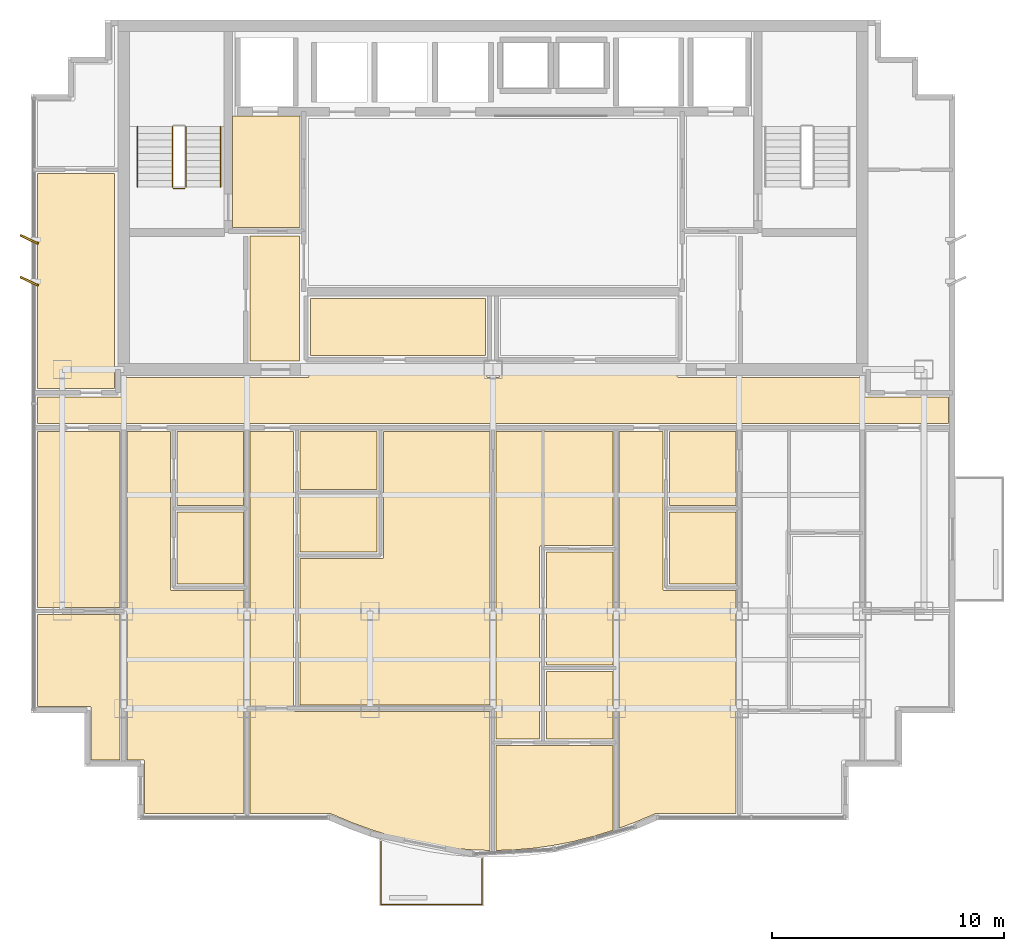
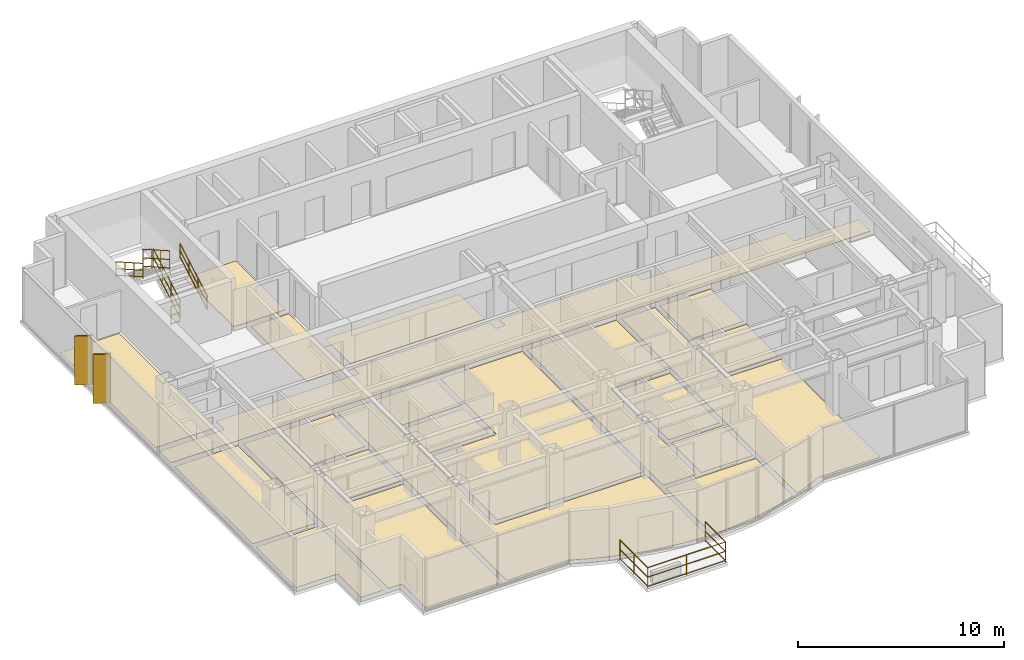
# One storey, part 10 of 11: 21 coverings, 6 railings, 2 shading devices.
"""IFC4 building model written with IfcOpenShell, lengths in metres."""

from ifc_helpers import new_model, si_unit, direction, frame, origin, origin_2d, place, context, subcontext, project, spatial, polyline, rectangle, circle, outline, extrude, source, transform, mapped, material, layer, layer_set, type_object, element, save


model = new_model("IFC4")

# Units and contexts
model_context = context("Model", 3, precision=1e-05, world=origin(), true_north=direction((0.0, 1.0)))
body_context = subcontext(model_context, "Body", "Model", "MODEL_VIEW")
ifc_project = project(units=[si_unit("LENGTHUNIT", "METRE"), si_unit("AREAUNIT", "SQUARE_METRE"), si_unit("VOLUMEUNIT", "CUBIC_METRE"), si_unit("PLANEANGLEUNIT", "RADIAN"), si_unit("MASSUNIT", "GRAM", prefix="KILO")], contexts=[model_context])

# Site, building, storey
site_placement = place(None, origin())
site = spatial("IfcSite", under=ifc_project, at=site_placement, CompositionType="ELEMENT")
building_placement = place(site_placement, origin())
building = spatial("IfcBuilding", under=site, at=building_placement, Name="Qianlan Lanfeng Residences", CompositionType="ELEMENT")
storey_placement = place(building_placement, frame((0.0, 0.0, 203.300048828125)))
storey = spatial("IfcBuildingStorey", under=building, at=storey_placement, Name="L55", CompositionType="ELEMENT", Elevation=203.300048828125)

# Coverings
ifc_material_1 = material(Name="Honed Taitung Granite Stone Flooring", Category="masonry")
ifc_layer_1 = layer(ifc_material_1, 0.030029296875)
ifc_layer_set_1 = layer_set([ifc_layer_1], Name="Honed Taitung Granite Stone Flooring")
covering_type_1 = type_object("IfcCoveringType", Name="FLR-STN-30", PredefinedType="FLOORING", material=ifc_layer_set_1)
covering_1_placement = place(storey_placement, origin())
element("IfcCovering", 1, at=covering_1_placement, inside=storey, type_object=covering_type_1, Name="L55 Firefighting Lift Lobby Floor Finish", PredefinedType="FLOORING", context=body_context, shape_type="SweptSolid", body=[
    extrude(outline(polyline([(15.2900390625, 31.320068359375), (18.179931640625, 31.320068359375), (18.179931640625, 36.110107421875), (15.2900390625, 36.110107421875), (15.2900390625, 31.320068359375)])), origin(), (0.0, 0.0, 1.0), 0.030029296875),
])
covering_2_placement = place(storey_placement, origin())
element("IfcCovering", 2, at=covering_2_placement, inside=storey, type_object=covering_type_1, Name="L55 Residential Corridor Floor Finish", PredefinedType="FLOORING", context=body_context, shape_type="SweptSolid", body=[
    extrude(outline(polyline([(6.889892578125, 22.8798828125), (46.110107421875, 22.8798828125), (46.110107421875, 24.02001953125), (42.5400390625, 24.02001953125), (42.532958984375, 24.02001953125), (42.52587890625, 24.02099609375), (42.52001953125, 24.02294921875), (42.512939453125, 24.02490234375), (42.507080078125, 24.028076171875), (42.5009765625, 24.031982421875), (42.49609375, 24.035888671875), (42.490966796875, 24.041015625), (42.486083984375, 24.0458984375), (42.48193359375, 24.051025390625), (42.47802734375, 24.056884765625), (42.47509765625, 24.06298828125), (42.472900390625, 24.070068359375), (42.470947265625, 24.075927734375), (42.469970703125, 24.0830078125), (42.469970703125, 24.090087890625), (42.469970703125, 24.85009765625), (34.5, 24.85009765625), (34.492919921875, 24.85009765625), (34.486083984375, 24.85107421875), (34.47998046875, 24.85302734375), (34.472900390625, 24.85498046875), (34.467041015625, 24.85791015625), (34.4609375, 24.862060546875), (34.4560546875, 24.865966796875), (34.450927734375, 24.87109375), (34.446044921875, 24.8759765625), (34.44189453125, 24.881103515625), (34.43798828125, 24.886962890625), (34.43505859375, 24.89306640625), (34.43310546875, 24.89990234375), (34.430908203125, 24.906005859375), (34.429931640625, 24.9130859375), (34.429931640625, 24.919921875), (34.429931640625, 25.429931640625), (26.77001953125, 25.429931640625), (26.77001953125, 24.919921875), (26.77001953125, 24.9130859375), (26.76904296875, 24.906005859375), (26.76708984375, 24.89990234375), (26.764892578125, 24.89306640625), (26.761962890625, 24.886962890625), (26.758056640625, 24.881103515625), (26.75390625, 24.8759765625), (26.7490234375, 24.87109375), (26.743896484375, 24.865966796875), (26.739013671875, 24.862060546875), (26.73291015625, 24.85791015625), (26.72705078125, 24.85498046875), (26.719970703125, 24.85302734375), (26.714111328125, 24.85107421875), (26.70703125, 24.85009765625), (26.699951171875, 24.85009765625), (26.300048828125, 24.85009765625), (26.29296875, 24.85009765625), (26.285888671875, 24.85107421875), (26.280029296875, 24.85302734375), (26.27294921875, 24.85498046875), (26.26708984375, 24.85791015625), (26.260986328125, 24.862060546875), (26.256103515625, 24.865966796875), (26.2509765625, 24.87109375), (26.24609375, 24.8759765625), (26.241943359375, 24.881103515625), (26.238037109375, 24.886962890625), (26.235107421875, 24.89306640625), (26.23291015625, 24.89990234375), (26.23095703125, 24.906005859375), (26.22998046875, 24.9130859375), (26.22998046875, 24.919921875), (26.22998046875, 25.429931640625), (18.570068359375, 25.429931640625), (18.570068359375, 24.919921875), (18.570068359375, 24.9130859375), (18.569091796875, 24.906005859375), (18.56689453125, 24.89990234375), (18.56494140625, 24.89306640625), (18.56201171875, 24.886962890625), (18.55810546875, 24.881103515625), (18.553955078125, 24.8759765625), (18.549072265625, 24.87109375), (18.5439453125, 24.865966796875), (18.5390625, 24.862060546875), (18.532958984375, 24.85791015625), (18.527099609375, 24.85498046875), (18.52001953125, 24.85302734375), (18.513916015625, 24.85107421875), (18.507080078125, 24.85009765625), (18.5, 24.85009765625), (10.530029296875, 24.85009765625), (10.530029296875, 24.090087890625), (10.530029296875, 24.0830078125), (10.529052734375, 24.075927734375), (10.527099609375, 24.070068359375), (10.52490234375, 24.06298828125), (10.52197265625, 24.056884765625), (10.51806640625, 24.051025390625), (10.513916015625, 24.0458984375), (10.509033203125, 24.041015625), (10.50390625, 24.035888671875), (10.4990234375, 24.031982421875), (10.492919921875, 24.028076171875), (10.487060546875, 24.02490234375), (10.47998046875, 24.02294921875), (10.47412109375, 24.02099609375), (10.467041015625, 24.02001953125), (10.4599609375, 24.02001953125), (6.889892578125, 24.02001953125), (6.889892578125, 22.8798828125)])), origin(), (0.0, 0.0, 1.0), 0.030029296875),
])
covering_3_placement = place(storey_placement, origin())
element("IfcCovering", 3, at=covering_3_placement, inside=storey, type_object=covering_type_1, Name="L55 Lift Lobby Floor Finish", PredefinedType="FLOORING", context=body_context, shape_type="SweptSolid", body=[
    extrude(outline(polyline([(16.030029296875, 25.56005859375), (18.169921875, 25.56005859375), (18.169921875, 30.949951171875), (16.030029296875, 30.949951171875), (16.030029296875, 25.56005859375)])), origin(), (0.0, 0.0, 1.0), 0.030029296875),
])
ifc_material_2 = material(Name="Slip-Resistant Porcelain Tile Flooring")
ifc_layer_2 = layer(ifc_material_2, 0.02001953125)
ifc_layer_set_2 = layer_set([ifc_layer_2], Name="Slip-Resistant Porcelain Tile Flooring")
covering_type_2 = type_object("IfcCoveringType", Name="FLR-TIL-20", PredefinedType="FLOORING", material=ifc_layer_set_2)
covering_4_placement = place(storey_placement, origin())
element("IfcCovering", 4, at=covering_4_placement, inside=storey, type_object=covering_type_2, Name="L55 Kitchen Floor Finish", PredefinedType="FLOORING", context=body_context, shape_type="SweptSolid", body=[
    extrude(outline(polyline([(12.889892578125, 15.9599609375), (15.760009765625, 15.9599609375), (15.760009765625, 19.070068359375), (12.889892578125, 19.070068359375), (12.889892578125, 15.9599609375)])), origin(), (0.0, 0.0, 1.0), 0.02001953125),
])
covering_5_placement = place(storey_placement, origin())
element("IfcCovering", 5, at=covering_5_placement, inside=storey, type_object=covering_type_2, Name="L55 Bathroom Floor Finish", PredefinedType="FLOORING", context=body_context, shape_type="SweptSolid", body=[
    extrude(outline(polyline([(12.889892578125, 19.35009765625), (15.760009765625, 19.35009765625), (15.760009765625, 22.530029296875), (12.889892578125, 22.530029296875), (12.889892578125, 19.35009765625)])), origin(), (0.0, 0.0, 1.0), 0.02001953125),
])
covering_6_placement = place(storey_placement, origin())
element("IfcCovering", 6, at=covering_6_placement, inside=storey, type_object=covering_type_2, Name="L55 Kitchen Floor Finish", PredefinedType="FLOORING", context=body_context, shape_type="SweptSolid", body=[
    extrude(outline(polyline([(18.18994140625, 17.340087890625), (21.510009765625, 17.340087890625), (21.510009765625, 19.760009765625), (18.18994140625, 19.760009765625), (18.18994140625, 17.340087890625)])), origin(), (0.0, 0.0, 1.0), 0.02001953125),
])
covering_7_placement = place(storey_placement, origin())
element("IfcCovering", 7, at=covering_7_placement, inside=storey, type_object=covering_type_2, Name="L55 Bathroom Floor Finish", PredefinedType="FLOORING", context=body_context, shape_type="SweptSolid", body=[
    extrude(outline(polyline([(18.18994140625, 20.0400390625), (21.510009765625, 20.0400390625), (21.510009765625, 22.530029296875), (18.18994140625, 22.530029296875), (18.18994140625, 20.0400390625)])), origin(), (0.0, 0.0, 1.0), 0.02001953125),
])
covering_8_placement = place(storey_placement, origin())
element("IfcCovering", 8, at=covering_8_placement, inside=storey, type_object=covering_type_2, Name="L55 En-Suite Bathroom Floor Finish", PredefinedType="FLOORING", context=body_context, shape_type="SweptSolid", body=[
    extrude(outline(polyline([(28.7900390625, 9.2880859375), (31.669921875, 9.2880859375), (31.669921875, 12.2080078125), (28.7900390625, 12.2080078125), (28.7900390625, 9.2880859375)])), origin(), (0.0, 0.0, 1.0), 0.02001953125),
])
covering_9_placement = place(storey_placement, origin())
element("IfcCovering", 9, at=covering_9_placement, inside=storey, type_object=covering_type_2, Name="L55 Kitchen Floor Finish", PredefinedType="FLOORING", context=body_context, shape_type="SweptSolid", body=[
    extrude(outline(polyline([(34.090087890625, 15.9599609375), (36.9599609375, 15.9599609375), (36.9599609375, 19.070068359375), (34.090087890625, 19.070068359375), (34.090087890625, 15.9599609375)])), origin(), (0.0, 0.0, 1.0), 0.02001953125),
])
covering_10_placement = place(storey_placement, origin())
element("IfcCovering", 10, at=covering_10_placement, inside=storey, type_object=covering_type_2, Name="L55 Bathroom Floor Finish", PredefinedType="FLOORING", context=body_context, shape_type="SweptSolid", body=[
    extrude(outline(polyline([(34.090087890625, 19.35009765625), (36.9599609375, 19.35009765625), (36.9599609375, 22.530029296875), (34.090087890625, 22.530029296875), (34.090087890625, 19.35009765625)])), origin(), (0.0, 0.0, 1.0), 0.02001953125),
])
ifc_material_3 = material(Name="Engineered Smoked Oak Timber Flooring", Category="wood")
ifc_layer_3 = layer(ifc_material_3, 0.02197265625)
ifc_layer_set_3 = layer_set([ifc_layer_3], Name="Engineered Smoked Oak Timber Flooring")
covering_type_3 = type_object("IfcCoveringType", Name="FLR-TIM-22", PredefinedType="FLOORING", material=ifc_layer_set_3)
covering_11_placement = place(storey_placement, origin())
element("IfcCovering", 11, at=covering_11_placement, inside=storey, type_object=covering_type_3, Name="L55 Resident Reading Lounge Floor Finish", PredefinedType="FLOORING", context=body_context, shape_type="SweptSolid", body=[
    extrude(outline(polyline([(18.6298828125, 25.800048828125), (26.169921875, 25.800048828125), (26.169921875, 28.2548828125), (18.6298828125, 28.2548828125), (18.6298828125, 25.800048828125)])), origin(), (0.0, 0.0, 1.0), 0.02197265625),
])
covering_12_placement = place(storey_placement, origin())
element("IfcCovering", 12, at=covering_12_placement, inside=storey, type_object=covering_type_3, Name="L55 Studio Living Room Floor Finish", PredefinedType="FLOORING", context=body_context, shape_type="SweptSolid", body=[
    extrude(outline(polyline([(15.77001953125, 6.090087890625), (15.77001953125, 15.679931640625), (12.679931640625, 15.679931640625), (12.673095703125, 15.679931640625), (12.666015625, 15.680908203125), (12.659912109375, 15.68310546875), (12.653076171875, 15.68505859375), (12.64697265625, 15.68798828125), (12.64111328125, 15.69189453125), (12.635986328125, 15.696044921875), (12.631103515625, 15.700927734375), (12.6259765625, 15.7060546875), (12.6220703125, 15.7109375), (12.617919921875, 15.717041015625), (12.614990234375, 15.722900390625), (12.613037109375, 15.72998046875), (12.611083984375, 15.736083984375), (12.610107421875, 15.742919921875), (12.610107421875, 15.75), (12.610107421875, 22.530029296875), (10.72998046875, 22.530029296875), (10.72998046875, 8.389892578125), (11.419921875, 8.389892578125), (11.427001953125, 8.389892578125), (11.43408203125, 8.388916015625), (11.43994140625, 8.386962890625), (11.447021484375, 8.385009765625), (11.452880859375, 8.382080078125), (11.458984375, 8.3779296875), (11.464111328125, 8.3740234375), (11.468994140625, 8.368896484375), (11.47412109375, 8.364013671875), (11.47802734375, 8.35888671875), (11.48193359375, 8.35302734375), (11.485107421875, 8.346923828125), (11.487060546875, 8.340087890625), (11.489013671875, 8.333984375), (11.489990234375, 8.326904296875), (11.489990234375, 8.320068359375), (11.489990234375, 6.090087890625), (15.77001953125, 6.090087890625)])), origin(), (0.0, 0.0, 1.0), 0.02197265625),
])
covering_13_placement = place(storey_placement, origin())
element("IfcCovering", 13, at=covering_13_placement, inside=storey, type_object=covering_type_3, Name="L55 Living and Dining Room Floor Finish", PredefinedType="FLOORING", context=body_context, shape_type="SweptSolid", body=[
    extrude(outline(polyline([(26.3701171875, 4.493896484375), (26.3701171875, 10.47412109375), (17.97998046875, 10.47412109375), (17.972900390625, 10.47412109375), (17.966064453125, 10.47509765625), (17.9599609375, 10.47705078125), (17.952880859375, 10.47900390625), (17.947021484375, 10.48193359375), (17.94091796875, 10.486083984375), (17.93603515625, 10.489990234375), (17.930908203125, 10.4951171875), (17.926025390625, 10.5), (17.922119140625, 10.5048828125), (17.91796875, 10.510986328125), (17.9150390625, 10.51708984375), (17.9130859375, 10.52392578125), (17.910888671875, 10.530029296875), (17.909912109375, 10.537109375), (17.909912109375, 10.5439453125), (17.909912109375, 22.530029296875), (16.030029296875, 22.530029296875), (16.030029296875, 6.090087890625), (19.465087890625, 6.090087890625), (19.471923828125, 6.090087890625), (19.47900390625, 6.089111328125), (19.485107421875, 6.0869140625), (19.491943359375, 6.083984375), (20.412109375, 5.695068359375), (21.282958984375, 5.375), (22.154052734375, 5.10400390625), (23.02392578125, 4.883056640625), (23.89306640625, 4.7109375), (24.762939453125, 4.587890625), (25.631103515625, 4.514892578125), (26.3701171875, 4.493896484375)])), origin(), (0.0, 0.0, 1.0), 0.02197265625),
])
covering_14_placement = place(storey_placement, origin())
element("IfcCovering", 14, at=covering_14_placement, inside=storey, type_object=covering_type_3, Name="L55 Villa Family Sitting Room Floor Finish", PredefinedType="FLOORING", context=body_context, shape_type="SweptSolid", body=[
    extrude(outline(polyline([(18.18994140625, 10.75390625), (26.3701171875, 10.75390625), (26.3701171875, 22.530029296875), (21.7900390625, 22.530029296875), (21.7900390625, 17.1298828125), (21.7900390625, 17.123046875), (21.7890625, 17.115966796875), (21.787109375, 17.110107421875), (21.784912109375, 17.10302734375), (21.781982421875, 17.096923828125), (21.778076171875, 17.091064453125), (21.77392578125, 17.0859375), (21.76904296875, 17.0810546875), (21.763916015625, 17.075927734375), (21.759033203125, 17.072021484375), (21.7529296875, 17.068115234375), (21.7470703125, 17.06494140625), (21.739990234375, 17.06298828125), (21.73388671875, 17.06103515625), (21.72705078125, 17.06005859375), (21.719970703125, 17.06005859375), (18.18994140625, 17.06005859375), (18.18994140625, 10.75390625)])), origin(), (0.0, 0.0, 1.0), 0.02197265625),
])
covering_15_placement = place(storey_placement, origin())
element("IfcCovering", 15, at=covering_15_placement, inside=storey, type_object=covering_type_3, Name="L55 Private Study Floor Finish", PredefinedType="FLOORING", context=body_context, shape_type="SweptSolid", body=[
    extrude(outline(polyline([(28.7900390625, 12.488037109375), (31.669921875, 12.488037109375), (31.669921875, 17.333984375), (28.7900390625, 17.333984375), (28.7900390625, 12.488037109375)])), origin(), (0.0, 0.0, 1.0), 0.02197265625),
])
covering_16_placement = place(storey_placement, origin())
element("IfcCovering", 16, at=covering_16_placement, inside=storey, type_object=covering_type_3, Name="L55 Villa Family Sitting Room Floor Finish", PredefinedType="FLOORING", context=body_context, shape_type="SweptSolid", body=[
    extrude(outline(polyline([(26.6298828125, 9.2880859375), (28.510009765625, 9.2880859375), (28.510009765625, 17.5439453125), (28.510009765625, 17.551025390625), (28.510986328125, 17.55810546875), (28.512939453125, 17.56396484375), (28.514892578125, 17.571044921875), (28.51806640625, 17.576904296875), (28.52197265625, 17.5830078125), (28.52587890625, 17.587890625), (28.531005859375, 17.593017578125), (28.535888671875, 17.597900390625), (28.541015625, 17.60205078125), (28.547119140625, 17.60595703125), (28.552978515625, 17.60888671875), (28.56005859375, 17.611083984375), (28.56591796875, 17.613037109375), (28.572998046875, 17.614013671875), (28.580078125, 17.614013671875), (31.669921875, 17.614013671875), (31.669921875, 22.530029296875), (26.6298828125, 22.530029296875), (26.6298828125, 9.2880859375)])), origin(), (0.0, 0.0, 1.0), 0.02197265625),
])
covering_17_placement = place(storey_placement, origin())
element("IfcCovering", 17, at=covering_17_placement, inside=storey, type_object=covering_type_3, Name="L55 Master Bedroom Floor Finish", PredefinedType="FLOORING", context=body_context, shape_type="SweptSolid", body=[
    extrude(outline(polyline([(26.6298828125, 9.008056640625), (26.6298828125, 4.493896484375), (27.368896484375, 4.514892578125), (28.237060546875, 4.587890625), (29.10693359375, 4.7109375), (29.97607421875, 4.883056640625), (30.845947265625, 5.10400390625), (31.669921875, 5.360107421875), (31.669921875, 9.008056640625), (26.6298828125, 9.008056640625)])), origin(), (0.0, 0.0, 1.0), 0.02197265625),
])
covering_18_placement = place(storey_placement, origin())
element("IfcCovering", 18, at=covering_18_placement, inside=storey, type_object=covering_type_3, Name="L55 Living and Dining Room Floor Finish", PredefinedType="FLOORING", context=body_context, shape_type="SweptSolid", body=[
    extrude(outline(polyline([(36.969970703125, 6.090087890625), (36.969970703125, 15.679931640625), (33.8798828125, 15.679931640625), (33.873046875, 15.679931640625), (33.865966796875, 15.680908203125), (33.860107421875, 15.68310546875), (33.85302734375, 15.68505859375), (33.846923828125, 15.68798828125), (33.841064453125, 15.69189453125), (33.8359375, 15.696044921875), (33.8310546875, 15.700927734375), (33.825927734375, 15.7060546875), (33.822021484375, 15.7109375), (33.818115234375, 15.717041015625), (33.81494140625, 15.722900390625), (33.81298828125, 15.72998046875), (33.81103515625, 15.736083984375), (33.81005859375, 15.742919921875), (33.81005859375, 15.75), (33.81005859375, 22.530029296875), (31.929931640625, 22.530029296875), (31.929931640625, 5.452880859375), (32.587890625, 5.695068359375), (33.508056640625, 6.083984375), (33.514892578125, 6.0869140625), (33.52099609375, 6.089111328125), (33.528076171875, 6.090087890625), (33.534912109375, 6.090087890625), (36.969970703125, 6.090087890625)])), origin(), (0.0, 0.0, 1.0), 0.02197265625),
])
covering_19_placement = place(storey_placement, origin())
element("IfcCovering", 19, at=covering_19_placement, inside=storey, type_object=covering_type_3, Name="L55 Sunroom Floor Finish", PredefinedType="FLOORING", context=body_context, shape_type="SweptSolid", body=[
    extrude(outline(polyline([(10.43994140625, 14.64990234375), (6.889892578125, 14.64990234375), (6.889892578125, 10.68994140625), (9.1201171875, 10.68994140625), (9.126953125, 10.68994140625), (9.134033203125, 10.68896484375), (9.139892578125, 10.68701171875), (9.14697265625, 10.68505859375), (9.153076171875, 10.681884765625), (9.158935546875, 10.677978515625), (9.1640625, 10.674072265625), (9.1689453125, 10.6689453125), (9.174072265625, 10.6640625), (9.177978515625, 10.658935546875), (9.181884765625, 10.653076171875), (9.18505859375, 10.64697265625), (9.18701171875, 10.639892578125), (9.18896484375, 10.634033203125), (9.18994140625, 10.626953125), (9.18994140625, 10.6201171875), (9.18994140625, 8.389892578125), (10.43994140625, 8.389892578125), (10.43994140625, 14.64990234375)])), origin(), (0.0, 0.0, 1.0), 0.02197265625),
])
covering_20_placement = place(storey_placement, origin())
element("IfcCovering", 20, at=covering_20_placement, inside=storey, type_object=covering_type_3, Name="L55 Family Sitting Room Floor Finish", PredefinedType="FLOORING", context=body_context, shape_type="SweptSolid", body=[
    extrude(outline(polyline([(10.43994140625, 22.530029296875), (6.889892578125, 22.530029296875), (6.889892578125, 14.949951171875), (10.43994140625, 14.949951171875), (10.43994140625, 22.530029296875)])), origin(), (0.0, 0.0, 1.0), 0.02197265625),
])
covering_21_placement = place(storey_placement, origin())
element("IfcCovering", 21, at=covering_21_placement, inside=storey, type_object=covering_type_3, Name="L55 Boardroom Suite Floor Finish", PredefinedType="FLOORING", context=body_context, shape_type="SweptSolid", body=[
    extrude(outline(polyline([(10.199951171875, 33.64990234375), (6.889892578125, 33.64990234375), (6.889892578125, 24.3798828125), (10.199951171875, 24.3798828125), (10.199951171875, 33.64990234375)])), origin(), (0.0, 0.0, 1.0), 0.02197265625),
])

# Railings
ifc_material_4 = material(Name="Anodised Bronze Aluminium and Laminated Glass Guard Balustrade", Category="aluminium")
railing_type_1 = type_object("IfcRailingType", Name="GR-EXT-1220", PredefinedType="BALUSTRADE", material=ifc_material_4)
railing_1_placement = place(storey_placement, frame((26.030029296875, 4.14306640625, 0.0)))
element("IfcRailing", 22, at=railing_1_placement, inside=storey, type_object=railing_type_1, Name="L55 Terrace Safety Guard GR-L55-SB-C", PredefinedType="BALUSTRADE", context=body_context, shape_type="SweptSolid", body=[
    extrude(circle(Radius=0.02490234375, at=origin_2d()), frame((0.0, 0.0, 0.0849609375), z_axis=(0.0, -1.0, 0.0), x_axis=(1.0, 0.0, 0.0)), (0.0, 0.0, 1.0), 1.97314453125),
    extrude(circle(Radius=0.02490234375, at=origin_2d()), frame((0.0, 0.0, 0.63427734375), z_axis=(0.0, -1.0, 0.0), x_axis=(1.0, 0.0, 0.0)), (0.0, 0.0, 1.0), 1.97314453125),
    extrude(circle(Radius=0.02490234375, at=origin_2d()), frame((0.0, 0.0, 1.19482421875), z_axis=(0.0, -1.0, 0.0), x_axis=(1.0, 0.0, 0.0)), (0.0, 0.0, 1.0), 1.97314453125),
    extrude(circle(Radius=0.02490234375, at=origin_2d()), frame((0.0, -1.97314453125, 0.0849609375), z_axis=(-1.0, 0.0, 0.0), x_axis=(0.0, -1.0, 0.0)), (0.0, 0.0, 1.0), 4.360107421875),
    extrude(circle(Radius=0.02490234375, at=origin_2d()), frame((0.0, -1.97314453125, 0.63427734375), z_axis=(-1.0, 0.0, 0.0), x_axis=(0.0, -1.0, 0.0)), (0.0, 0.0, 1.0), 4.360107421875),
    extrude(circle(Radius=0.02490234375, at=origin_2d()), frame((0.0, -1.97314453125, 1.19482421875), z_axis=(-1.0, 0.0, 0.0), x_axis=(0.0, -1.0, 0.0)), (0.0, 0.0, 1.0), 4.360107421875),
    extrude(circle(Radius=0.02490234375, at=origin_2d()), frame((-4.360107421875, -1.97314453125, 0.0849609375), z_axis=(0.0, 1.0, 0.0), x_axis=(-1.0, 0.0, 0.0)), (0.0, 0.0, 1.0), 2.7080078125),
    extrude(circle(Radius=0.02490234375, at=origin_2d()), frame((-4.360107421875, -1.97314453125, 0.63427734375), z_axis=(0.0, 1.0, 0.0), x_axis=(-1.0, 0.0, 0.0)), (0.0, 0.0, 1.0), 2.7080078125),
    extrude(circle(Radius=0.02490234375, at=origin_2d()), frame((-4.360107421875, -1.97314453125, 1.19482421875), z_axis=(0.0, 1.0, 0.0), x_axis=(-1.0, 0.0, 0.0)), (0.0, 0.0, 1.0), 2.7080078125),
    extrude(circle(Radius=0.02099609375, at=origin_2d()), origin(), (0.0, 0.0, 1.0), 1.169921875),
    extrude(circle(Radius=0.02099609375, at=origin_2d()), frame((0.0, -1.97314453125, 0.0)), (0.0, 0.0, 1.0), 1.169921875),
    extrude(circle(Radius=0.02099609375, at=origin_2d()), frame((-2.18017578125, -1.97314453125, 0.0)), (0.0, 0.0, 1.0), 1.169921875),
    extrude(circle(Radius=0.02099609375, at=origin_2d()), frame((-4.360107421875, -1.97314453125, 0.0)), (0.0, 0.0, 1.0), 1.169921875),
    extrude(circle(Radius=0.02099609375, at=origin_2d()), frame((-4.360107421875, -0.619140625, 0.0)), (0.0, 0.0, 1.0), 1.169921875),
    extrude(circle(Radius=0.02099609375, at=origin_2d()), frame((-4.360107421875, 0.73486328125, 0.0)), (0.0, 0.0, 1.0), 1.169921875),
])
ifc_material_5 = material(Name="Painted Galvanised Steel Guardrail", Category="steel")
railing_type_2 = type_object("IfcRailingType", Name="GR-ST-1120", PredefinedType="GUARDRAIL", material=ifc_material_5)
railing_2_placement = place(storey_placement, frame((13.27001953125, 33.050048828125, 0.1650390625)))
element("IfcRailing", 23, at=railing_2_placement, inside=storey, type_object=railing_type_2, Name="L55 ST-1 stair guard 1", PredefinedType="GUARDRAIL", context=body_context, shape_type="SweptSolid", body=[
    extrude(circle(Radius=0.02392578125, at=origin_2d()), frame((0.0, 0.0, 0.083984375), z_axis=(0.0, 0.869172267526, 0.494509422927), x_axis=(-1.0, 0.0, 0.0)), (0.0, 0.0, 1.0), 3.002685546875),
    extrude(circle(Radius=0.02392578125, at=origin_2d()), frame((0.0, 0.0, 0.58251953125), z_axis=(0.0, 0.869172267526, 0.494509422927), x_axis=(-1.0, 0.0, 0.0)), (0.0, 0.0, 1.0), 3.002685546875),
    extrude(circle(Radius=0.02392578125, at=origin_2d()), frame((0.0, 0.0, 1.09619140625), z_axis=(0.0, 0.869172267526, 0.494509422927), x_axis=(-1.0, 0.0, 0.0)), (0.0, 0.0, 1.0), 3.002685546875),
    extrude(circle(Radius=0.02099609375, at=origin_2d()), origin(), (0.0, 0.0, 1.0), 1.072021484375),
    extrude(circle(Radius=0.02099609375, at=origin_2d()), frame((0.0, 0.869873046875, 0.494873046875)), (0.0, 0.0, 1.0), 1.072021484375),
    extrude(circle(Radius=0.02099609375, at=origin_2d()), frame((0.0, 1.739990234375, 0.989990234375)), (0.0, 0.0, 1.0), 1.072021484375),
    extrude(circle(Radius=0.02099609375, at=origin_2d()), frame((0.0, 2.60986328125, 1.48486328125)), (0.0, 0.0, 1.0), 1.072021484375),
])
railing_3_placement = place(storey_placement, frame((12.68994140625, 35.659912109375, 1.81494140625)))
element("IfcRailing", 24, at=railing_3_placement, inside=storey, type_object=railing_type_2, Name="L55 ST-1 stair guard 3", PredefinedType="GUARDRAIL", context=body_context, shape_type="SweptSolid", body=[
    extrude(circle(Radius=0.02392578125, at=origin_2d()), frame((0.0, 0.0, 0.083984375), z_axis=(0.0, -0.869137319866, 0.494570843475), x_axis=(1.0, 0.0, 0.0)), (0.0, 0.0, 1.0), 3.0029296875),
    extrude(circle(Radius=0.02392578125, at=origin_2d()), frame((0.0, 0.0, 0.58251953125), z_axis=(0.0, -0.869137319866, 0.494570843475), x_axis=(1.0, 0.0, 0.0)), (0.0, 0.0, 1.0), 3.0029296875),
    extrude(circle(Radius=0.02392578125, at=origin_2d()), frame((0.0, 0.0, 1.09619140625), z_axis=(0.0, -0.869137319866, 0.494570843475), x_axis=(1.0, 0.0, 0.0)), (0.0, 0.0, 1.0), 3.0029296875),
    extrude(circle(Radius=0.02099609375, at=origin_2d()), origin(), (0.0, 0.0, 1.0), 1.072021484375),
    extrude(circle(Radius=0.02099609375, at=origin_2d()), frame((0.0, -0.869873046875, 0.4951171875)), (0.0, 0.0, 1.0), 1.072021484375),
    extrude(circle(Radius=0.02099609375, at=origin_2d()), frame((0.0, -1.739990234375, 0.989990234375)), (0.0, 0.0, 1.0), 1.072021484375),
    extrude(circle(Radius=0.02099609375, at=origin_2d()), frame((0.0, -2.60986328125, 1.485107421875)), (0.0, 0.0, 1.0), 1.072021484375),
])
railing_4_placement = place(storey_placement, frame((13.219970703125, 33.0, 0.0)))
element("IfcRailing", 25, at=railing_4_placement, inside=storey, type_object=railing_type_2, Name="L55 ST-1 stair guard 4", PredefinedType="GUARDRAIL", context=body_context, shape_type="SweptSolid", body=[
    extrude(circle(Radius=0.02392578125, at=origin_2d()), frame((0.0, 0.0, 0.083984375), z_axis=(-1.0, 0.0, 0.0), x_axis=(0.0, -1.0, 0.0)), (0.0, 0.0, 1.0), 0.47998046875),
    extrude(circle(Radius=0.02392578125, at=origin_2d()), frame((0.0, 0.0, 0.58251953125), z_axis=(-1.0, 0.0, 0.0), x_axis=(0.0, -1.0, 0.0)), (0.0, 0.0, 1.0), 0.47998046875),
    extrude(circle(Radius=0.02392578125, at=origin_2d()), frame((0.0, 0.0, 1.09619140625), z_axis=(-1.0, 0.0, 0.0), x_axis=(0.0, -1.0, 0.0)), (0.0, 0.0, 1.0), 0.47998046875),
    extrude(circle(Radius=0.02099609375, at=origin_2d()), origin(), (0.0, 0.0, 1.0), 1.072021484375),
    extrude(circle(Radius=0.02099609375, at=origin_2d()), frame((-0.47998046875, 0.0, 0.0)), (0.0, 0.0, 1.0), 1.072021484375),
])
ifc_material_6 = material(Name="Brushed Stainless Steel Handrail", Category="steel")
railing_type_3 = type_object("IfcRailingType", Name="HR-ST-920", PredefinedType="HANDRAIL", material=ifc_material_6)
railing_5_placement = place(storey_placement, frame((14.77001953125, 33.050048828125, 0.1650390625)))
element("IfcRailing", 26, at=railing_5_placement, inside=storey, type_object=railing_type_3, Name="L55 ST-1 stair handrail 1", PredefinedType="HANDRAIL", context=body_context, shape_type="SweptSolid", body=[
    extrude(circle(Radius=0.02392578125, at=origin_2d()), frame((0.0, 0.0, 0.083984375), z_axis=(0.0, 0.869172267526, 0.494509422927), x_axis=(-1.0, 0.0, 0.0)), (0.0, 0.0, 1.0), 3.002685546875),
    extrude(circle(Radius=0.02392578125, at=origin_2d()), frame((0.0, 0.0, 0.468017578125), z_axis=(0.0, 0.869172267526, 0.494509422927), x_axis=(-1.0, 0.0, 0.0)), (0.0, 0.0, 1.0), 3.002685546875),
    extrude(circle(Radius=0.02392578125, at=origin_2d()), frame((0.0, 0.0, 0.8759765625), z_axis=(0.0, 0.869172267526, 0.494509422927), x_axis=(-1.0, 0.0, 0.0)), (0.0, 0.0, 1.0), 3.002685546875),
    extrude(circle(Radius=0.02099609375, at=origin_2d()), origin(), (0.0, 0.0, 1.0), 0.851806640625),
    extrude(circle(Radius=0.02099609375, at=origin_2d()), frame((0.0, 0.869873046875, 0.494873046875)), (0.0, 0.0, 1.0), 0.851806640625),
    extrude(circle(Radius=0.02099609375, at=origin_2d()), frame((0.0, 1.739990234375, 0.989990234375)), (0.0, 0.0, 1.0), 0.851806640625),
    extrude(circle(Radius=0.02099609375, at=origin_2d()), frame((0.0, 2.60986328125, 1.48486328125)), (0.0, 0.0, 1.0), 0.851806640625),
])
railing_6_placement = place(storey_placement, frame((11.18994140625, 35.659912109375, 1.81494140625)))
element("IfcRailing", 27, at=railing_6_placement, inside=storey, type_object=railing_type_3, Name="L55 ST-1 stair handrail 2", PredefinedType="HANDRAIL", context=body_context, shape_type="SweptSolid", body=[
    extrude(circle(Radius=0.02392578125, at=origin_2d()), frame((0.0, 0.0, 0.083984375), z_axis=(0.0, -0.869137319866, 0.494570843475), x_axis=(1.0, 0.0, 0.0)), (0.0, 0.0, 1.0), 3.0029296875),
    extrude(circle(Radius=0.02392578125, at=origin_2d()), frame((0.0, 0.0, 0.468017578125), z_axis=(0.0, -0.869137319866, 0.494570843475), x_axis=(1.0, 0.0, 0.0)), (0.0, 0.0, 1.0), 3.0029296875),
    extrude(circle(Radius=0.02392578125, at=origin_2d()), frame((0.0, 0.0, 0.8759765625), z_axis=(0.0, -0.869137319866, 0.494570843475), x_axis=(1.0, 0.0, 0.0)), (0.0, 0.0, 1.0), 3.0029296875),
    extrude(circle(Radius=0.02099609375, at=origin_2d()), origin(), (0.0, 0.0, 1.0), 0.851806640625),
    extrude(circle(Radius=0.02099609375, at=origin_2d()), frame((0.0, -0.869873046875, 0.4951171875)), (0.0, 0.0, 1.0), 0.851806640625),
    extrude(circle(Radius=0.02099609375, at=origin_2d()), frame((0.0, -1.739990234375, 0.989990234375)), (0.0, 0.0, 1.0), 0.851806640625),
    extrude(circle(Radius=0.02099609375, at=origin_2d()), frame((0.0, -2.60986328125, 1.485107421875)), (0.0, 0.0, 1.0), 0.851806640625),
])

# Shading devices
ifc_material_7 = material(Name="Anodised Bronze Aluminium Solar Fin", Category="aluminium")
shading_device_type = type_object("IfcShadingDeviceType", Name="FIN-BRZ-850", PredefinedType="SHUTTER", material=ifc_material_7)
shared_shape = source(origin(), body_context, "Body", "SweptSolid", [
    extrude(rectangle(XDim=0.85009765625, YDim=0.080078125, at=origin_2d()), origin(), (0.0, 0.0, 1.0), 2.89990234375),
])
for number, where, z_axis, x_axis, name in (
    (28, (6.530029296875, 29.0, 0.0), (0.0, 0.0, 1.0), (0.898794046299, -0.438371146789, 0.0), "L55 Raked Bronze Solar Fin W1"),
    (29, (6.530029296875, 30.800048828125, 0.0), (0.0, 0.0, 1.0), (0.898794046299, -0.438371146789, 0.0), "L55 Raked Bronze Solar Fin W2"),
):
    element("IfcShadingDevice", number, at=place(storey_placement, frame(where, z_axis=z_axis, x_axis=x_axis)), inside=storey, type_object=shading_device_type, Name=name, PredefinedType="SHUTTER", context=body_context, shape_type="MappedRepresentation", body=[
        mapped(shared_shape, transform((0.0, 0.0, 0.0), scale=1.0)),
    ])

save(model, "model.ifc")
